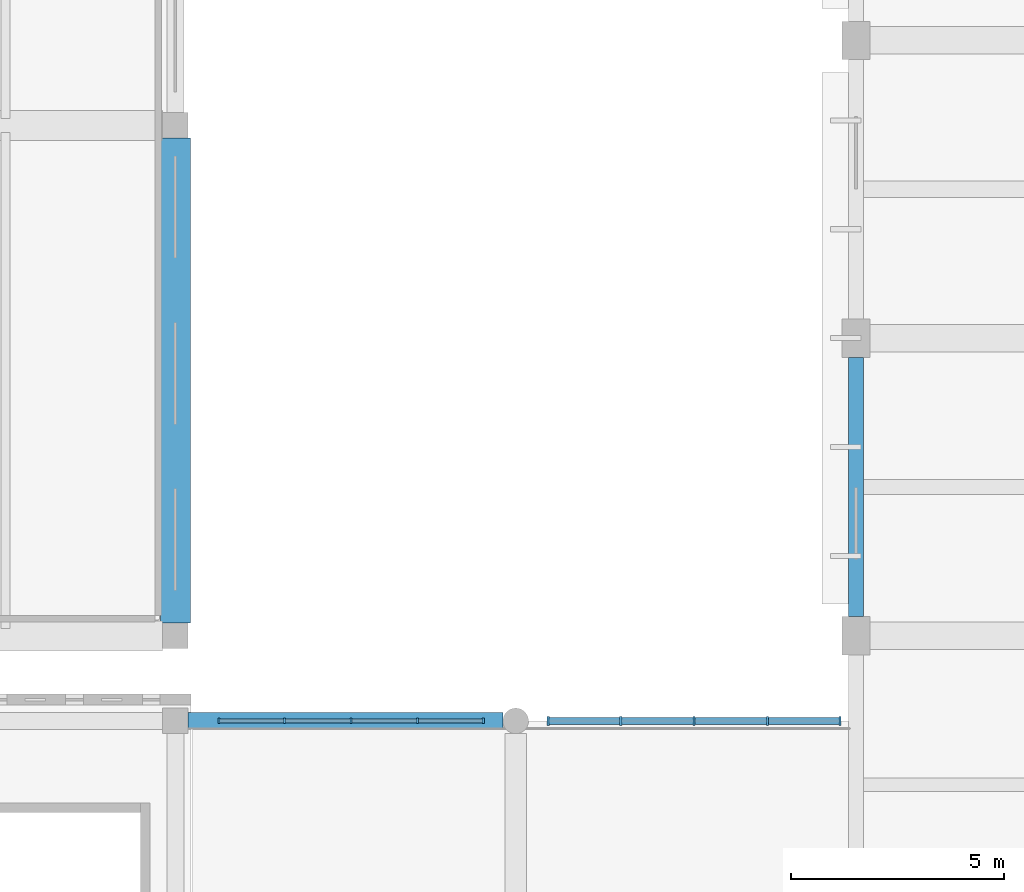
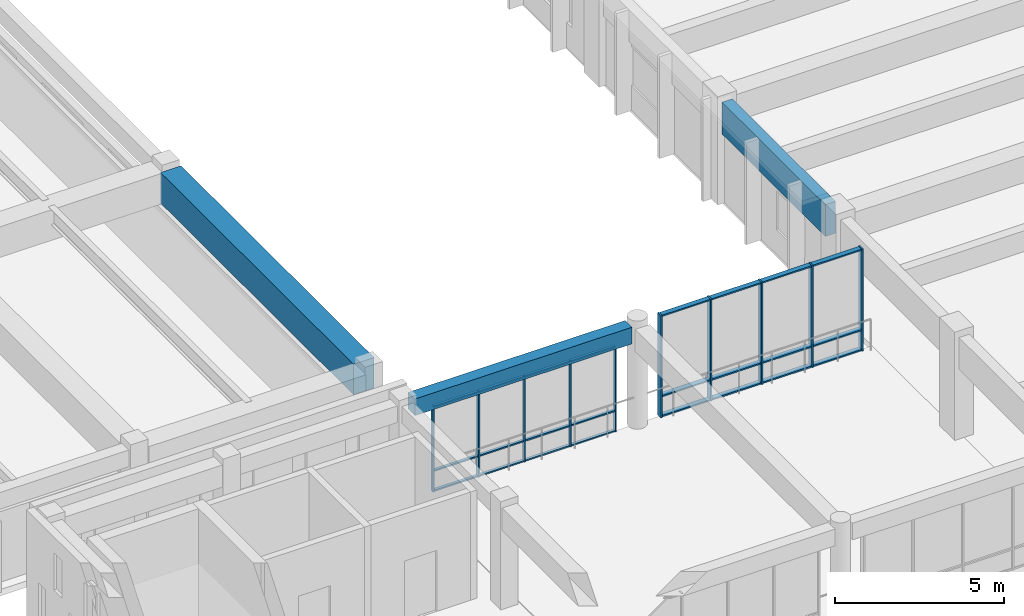
# One storey, part 24 of 98: 34 members, 3 beams, 2 elements without a shape of their own.
"""IFC4 building model written with IfcOpenShell, lengths in metres."""

import ifcopenshell
import ifcopenshell.guid

model = None  # the IFC model being written
_history = None  # IfcOwnerHistory: only IFC2X3 demands one
_inside = {}  # id of a spatial element -> (the spatial element, [elements in it])
_under = {}  # id of a project, library or spatial element -> (it, [spatial elements below it])
_declared = {}  # id of a project -> (the project, [libraries it declares])
_typed = {}  # id of a type object -> (the type object, [elements of that type])
_made_of = {}  # id of a material, layer set ... -> (it, [elements and type objects made of it])


def new_model(schema):
    """Start an empty IFC model of exactly this schema.

    Asked for "IFC4X3", IfcOpenShell would pick the latest addendum, in which some entities
    have other attributes; the version numbers below select the first issue.
    IFC2X3 requires an IfcOwnerHistory on every rooted entity: one is made here for all.
    """
    global model, _history
    if schema == "IFC4X3":
        model = ifcopenshell.file(schema_version=(4, 3, 0, 0))
    else:
        model = ifcopenshell.file(schema=schema)
    _inside.clear()
    _under.clear()
    _declared.clear()
    _typed.clear()
    _made_of.clear()
    _history = None
    if model.schema == "IFC2X3":
        org = make("IfcOrganization", Name="unknown")
        user = make(
            "IfcPersonAndOrganization",
            ThePerson=make("IfcPerson", FamilyName="unknown"),
            TheOrganization=org,
        )
        app = make(
            "IfcApplication",
            ApplicationDeveloper=org,
            Version="unknown",
            ApplicationFullName="unknown",
            ApplicationIdentifier="unknown",
        )
        _history = make(
            "IfcOwnerHistory",
            OwningUser=user,
            OwningApplication=app,
            ChangeAction="ADDED",
            CreationDate=0,
        )
    return model


def make(cls, **values):
    """One entity of the class cls with the attributes given. An attribute that is None is left unset."""
    return model.create_entity(
        cls, **{name: value for name, value in values.items() if value is not None}
    )


def rooted(cls, **values):
    """An entity with a GlobalId (a new one), such as an element, a storey or a relation."""
    return make(cls, GlobalId=ifcopenshell.guid.new(), OwnerHistory=_history, **values)


def si_unit(unit_type, name, prefix=None):
    """IfcSIUnit, for example si_unit("LENGTHUNIT", "METRE", prefix="MILLI")."""
    return make("IfcSIUnit", UnitType=unit_type, Prefix=prefix, Name=name)


def assignment(units):
    """IfcUnitAssignment: the units of a project."""
    return None if units is None else make("IfcUnitAssignment", Units=units)


def point(xyz):
    """IfcCartesianPoint."""
    return None if xyz is None else make("IfcCartesianPoint", Coordinates=xyz)


def direction(xyz):
    """IfcDirection."""
    return None if xyz is None else make("IfcDirection", DirectionRatios=xyz)


def frame(location, z_axis=None, x_axis=None):
    """IfcAxis2Placement3D, a coordinate frame: its origin and axes. An axis left out is left unset."""
    return make(
        "IfcAxis2Placement3D",
        Location=point(location),
        Axis=direction(z_axis),
        RefDirection=direction(x_axis),
    )


def frame_2d(location, x_axis=None):
    """IfcAxis2Placement2D, a coordinate frame in the plane: its origin and x axis."""
    return make(
        "IfcAxis2Placement2D", Location=point(location), RefDirection=direction(x_axis)
    )


def origin():
    """The frame at (0, 0, 0) with its axes left unset."""
    return frame((0.0, 0.0, 0.0))


def origin_2d():
    """The frame at (0, 0) in the plane with its x axis left unset."""
    return frame_2d((0.0, 0.0))


def place(relative_to, where):
    """IfcLocalPlacement: puts the frame where relative to a parent placement (None: the world)."""
    return make(
        "IfcLocalPlacement", PlacementRelTo=relative_to, RelativePlacement=where
    )


def context(
    kind, dimensions, precision=None, world=None, true_north=None, identifier=None
):
    """IfcGeometricRepresentationContext, for example the 3D "Model" context."""
    return make(
        "IfcGeometricRepresentationContext",
        ContextIdentifier=identifier,
        ContextType=kind,
        CoordinateSpaceDimension=dimensions,
        Precision=precision,
        WorldCoordinateSystem=world,
        TrueNorth=true_north,
    )


def subcontext(parent, identifier, kind, view, scale=None):
    """IfcGeometricRepresentationSubContext, for example "Body" below "Model"."""
    return make(
        "IfcGeometricRepresentationSubContext",
        ContextIdentifier=identifier,
        ContextType=kind,
        ParentContext=parent,
        TargetScale=scale,
        TargetView=view,
    )


def project(units=None, contexts=None):
    """IfcProject with its units and contexts."""
    return rooted(
        "IfcProject",
        Name="project",
        RepresentationContexts=contexts,
        UnitsInContext=assignment(units),
    )


def spatial(cls, under=None, at=None, **own):
    """A site, building, storey or space (cls), placed at a placement, below another one or the project."""
    s = rooted(cls, ObjectPlacement=at, **own)
    if under is not None:
        _under.setdefault(under.id(), (under, []))[1].append(s)
    return s


def profile(cls, at=None, kind="AREA", **sizes):
    """A parametric profile (cls). Its sizes go by their IFC names, for example OverallWidth=200.0."""
    return make(cls, ProfileType=kind, Position=at, **sizes)


def rectangle(**sizes):
    """IfcRectangleProfileDef."""
    return profile("IfcRectangleProfileDef", **sizes)


def extrude(swept, where, along, depth):
    """IfcExtrudedAreaSolid: the profile swept, set in the frame where, extruded along a direction by depth."""
    return make(
        "IfcExtrudedAreaSolid",
        SweptArea=swept,
        Position=where,
        ExtrudedDirection=direction(along),
        Depth=depth,
    )


def shape(context_of_items, identifier, shape_type, items):
    """IfcShapeRepresentation: the items that make up one representation, for example the "Body"."""
    return make(
        "IfcShapeRepresentation",
        ContextOfItems=context_of_items,
        RepresentationIdentifier=identifier,
        RepresentationType=shape_type,
        Items=items,
    )


def material(Name=None, Category=None):
    """IfcMaterial."""
    return make("IfcMaterial", Name=Name, Category=Category)


def material_profile(
    of_material, cross_section, Name=None, Category=None, Priority=None
):
    """IfcMaterialProfile: a cross section and its material."""
    return make(
        "IfcMaterialProfile",
        Name=Name,
        Material=of_material,
        Profile=cross_section,
        Priority=Priority,
        Category=Category,
    )


def profile_set(profiles, Name=None, composite=None):
    """IfcMaterialProfileSet."""
    return make(
        "IfcMaterialProfileSet",
        Name=Name,
        MaterialProfiles=profiles,
        CompositeProfile=composite,
    )


def made_of(thing, what):
    """Note that an element or type object is made of a material, layer set ...; save() writes the relation."""
    if what is not None:
        _made_of.setdefault(what.id(), (what, []))[1].append(thing)
    return thing


def type_object(cls, material=None, **own):
    """A type object (cls), such as IfcWallType, which elements share."""
    return made_of(rooted(cls, **own), material)


def element(
    cls,
    number,
    at=None,
    inside=None,
    cuts=None,
    type_object=None,
    material=None,
    context=None,
    identifier="Body",
    shape_type=None,
    held_by="IfcProductDefinitionShape",
    body=None,
    shapes=None,
    **own,
):
    """One element of the class cls, such as IfcWall. Its Tag is "e" and its number.

    at: its placement. inside: the storey or other place that contains it. cuts: it is an
    opening in that element (IfcRelVoidsElement). A single representation is given by context,
    identifier, shape_type and body (its items); several are given by shapes. held_by: the class
    of the entity that holds the representations. save() writes the other relations.
    """
    e = rooted(cls, Tag="e%d" % number, ObjectPlacement=at, **own)
    if body is not None:
        shapes = [shape(context, identifier, shape_type, body)]
    if shapes is not None:
        e.Representation = make(held_by, Representations=shapes)
    if inside is not None:
        _inside.setdefault(inside.id(), (inside, []))[1].append(e)
    if cuts is not None:
        rooted(
            "IfcRelVoidsElement", RelatingBuildingElement=cuts, RelatedOpeningElement=e
        )
    if type_object is not None:
        _typed.setdefault(type_object.id(), (type_object, []))[1].append(e)
    return made_of(e, material)


def aggregate(whole, parts):
    """IfcRelAggregates: a whole, such as a stair, and the parts it consists of."""
    return rooted("IfcRelAggregates", RelatingObject=whole, RelatedObjects=parts)


def save(model, path):
    """Write the relations noted so far, then the file.

    IfcRelAggregates (storeys below a building ...), IfcRelContainedInSpatialStructure (elements
    in a storey), IfcRelDefinesByType, IfcRelAssociatesMaterial and IfcRelDeclares: one each for
    every whole, place, type object, material and project.
    """
    for whole, parts in _under.values():
        aggregate(whole, parts)
    for where, things in _inside.values():
        rooted(
            "IfcRelContainedInSpatialStructure",
            RelatedElements=things,
            RelatingStructure=where,
        )
    for kind, things in _typed.values():
        rooted("IfcRelDefinesByType", RelatedObjects=things, RelatingType=kind)
    for what, things in _made_of.values():
        rooted("IfcRelAssociatesMaterial", RelatedObjects=things, RelatingMaterial=what)
    for by, libraries in _declared.values():
        rooted("IfcRelDeclares", RelatingContext=by, RelatedDefinitions=libraries)
    model.write(path)


model = new_model("IFC4")

# Units and contexts
model_context = context("Model", 3, precision=1e-05, world=origin(), true_north=direction((0.0, 1.0)))
body_context = subcontext(model_context, "Body", "Model", "MODEL_VIEW")
ifc_project = project(units=[si_unit("LENGTHUNIT", "METRE"), si_unit("AREAUNIT", "SQUARE_METRE"), si_unit("VOLUMEUNIT", "CUBIC_METRE"), si_unit("PLANEANGLEUNIT", "RADIAN"), si_unit("MASSUNIT", "GRAM", prefix="KILO")], contexts=[model_context])

# Site, building, storey
site_placement = place(None, origin())
site = spatial("IfcSite", under=ifc_project, at=site_placement, CompositionType="ELEMENT")
building_placement = place(site_placement, origin())
building = spatial("IfcBuilding", under=site, at=building_placement, Name="Larkveld Mobility Hub", CompositionType="ELEMENT")
storey_placement = place(building_placement, frame((0.0, 0.0, 4.5)))
storey = spatial("IfcBuildingStorey", under=building, at=storey_placement, Name="L01", CompositionType="ELEMENT", Elevation=4.5)

# Beams
ifc_material_1 = material(Name="Concrete C40/50", Category="concrete")
ifc_material_profile_1 = material_profile(ifc_material_1, rectangle(XDim=0.39990234375, YDim=0.60009765625, at=origin_2d()), Name="RC BM 400x600")
ifc_profile_set_1 = profile_set([ifc_material_profile_1], Name="Concrete C40/50")
beam_type_1 = type_object("IfcBeamType", Name="BM-RC4060", PredefinedType="BEAM", material=ifc_profile_set_1)
beam_1_placement = place(storey_placement, frame((96.300048828125, 96.0, 3.39501953125), z_axis=(1.0, 0.0, 0.0), x_axis=(0.0, 1.0, 0.0)))
element("IfcBeam", 1, at=beam_1_placement, inside=storey, type_object=beam_type_1, Name="Footbridge L01 Canopy E-W Girder L01-0290", PredefinedType="BEAM", context=body_context, shape_type="SweptSolid", body=[
    extrude(rectangle(XDim=0.39990234375, YDim=0.60009765625, at=origin_2d()), origin(), (0.0, 0.0, 1.0), 7.39990234375),
])
ifc_material_profile_2 = material_profile(ifc_material_1, rectangle(XDim=0.699951171875, YDim=1.10009765625, at=origin_2d()), Name="RC BM 700x1100")
ifc_profile_set_2 = profile_set([ifc_material_profile_2], Name="Concrete C40/50")
beam_type_2 = type_object("IfcBeamType", Name="BM-RC70110", PredefinedType="BEAM", material=ifc_profile_set_2)
beam_2_placement = place(storey_placement, frame((96.0, 98.300048828125, 3.110107421875), z_axis=(0.0, 1.0, 0.0), x_axis=(-1.0, 0.0, 0.0)))
element("IfcBeam", 2, at=beam_2_placement, inside=storey, type_object=beam_type_2, Name="Primary N-S Girder L01-0390", PredefinedType="BEAM", context=body_context, shape_type="SweptSolid", body=[
    extrude(rectangle(XDim=0.699951171875, YDim=1.10009765625, at=origin_2d()), origin(), (0.0, 0.0, 1.0), 11.39990234375),
])
ifc_material_2 = material(Name="Precast concrete C50/60", Category="concrete")
ifc_material_profile_3 = material_profile(ifc_material_2, rectangle(XDim=0.35009765625, YDim=1.14990234375, at=origin_2d()), Name="PC SP 350x1150")
ifc_profile_set_3 = profile_set([ifc_material_profile_3], Name="Precast concrete C50/60")
beam_type_3 = type_object("IfcBeamType", Name="BM-SP35115", PredefinedType="SPANDREL", material=ifc_profile_set_3)
beam_3_placement = place(storey_placement, frame((112.0, 98.449951171875, 3.0849609375), z_axis=(0.0, 1.0, 0.0), x_axis=(-1.0, 0.0, 0.0)))
element("IfcBeam", 3, at=beam_3_placement, inside=storey, type_object=beam_type_3, Name="Primary N-S Girder L01-0407", PredefinedType="SPANDREL", context=body_context, shape_type="SweptSolid", body=[
    extrude(rectangle(XDim=0.35009765625, YDim=1.14990234375, at=origin_2d()), origin(), (0.0, 0.0, 1.0), 6.10009765625),
])

# Curtain wall, members
ifc_material_3 = material(Name="Anodised aluminium 6063-T6", Category="aluminium")
curtain_wall_type_1 = type_object("IfcCurtainWallType", Name="CW-SYS-03", PredefinedType="NOTDEFINED", material=ifc_material_3)
curtain_wall_1_placement = place(storey_placement, origin())
curtain_wall_1 = element("IfcCurtainWall", 4, at=curtain_wall_1_placement, inside=storey, type_object=curtain_wall_type_1, Name="Concourse Footbridge L01 North Glazing CW-003", PredefinedType="NOTDEFINED")
ifc_material_profile_4 = material_profile(ifc_material_3, rectangle(XDim=0.050048828125, YDim=0.2099609375, at=origin_2d()), Name="ALU MULL 50x210")
ifc_profile_set_4 = profile_set([ifc_material_profile_4], Name="Anodised aluminium 6063-T6")
member_type_1 = type_object("IfcMemberType", Name="CW-MUL-03", PredefinedType="MULLION", material=ifc_profile_set_4)
member_1_placement = place(storey_placement, frame((111.625, 96.0, -0.001953125), z_axis=(0.0, 0.0, 1.0), x_axis=(-1.0, 0.0, 0.0)))
member_1 = element("IfcMember", 5, at=member_1_placement, type_object=member_type_1, Name="CW03 mullion 1", PredefinedType="MULLION", context=body_context, shape_type="SweptSolid", body=[
    extrude(rectangle(XDim=0.050048828125, YDim=0.2099609375, at=origin_2d()), origin(), (0.0, 0.0, 1.0), 3.681884765625),
])
member_2_placement = place(storey_placement, frame((109.922119140625, 96.0, -0.001953125), z_axis=(0.0, 0.0, 1.0), x_axis=(-1.0, 0.0, 0.0)))
member_2 = element("IfcMember", 6, at=member_2_placement, type_object=member_type_1, Name="CW03 mullion 2", PredefinedType="MULLION", context=body_context, shape_type="SweptSolid", body=[
    extrude(rectangle(XDim=0.050048828125, YDim=0.2099609375, at=origin_2d()), origin(), (0.0, 0.0, 1.0), 3.681884765625),
])
member_3_placement = place(storey_placement, frame((108.195068359375, 96.0, -0.001953125), z_axis=(0.0, 0.0, 1.0), x_axis=(-1.0, 0.0, 0.0)))
member_3 = element("IfcMember", 7, at=member_3_placement, type_object=member_type_1, Name="CW03 mullion 3", PredefinedType="MULLION", context=body_context, shape_type="SweptSolid", body=[
    extrude(rectangle(XDim=0.050048828125, YDim=0.2099609375, at=origin_2d()), origin(), (0.0, 0.0, 1.0), 3.681884765625),
])
member_4_placement = place(storey_placement, frame((106.468017578125, 96.0, -0.001953125), z_axis=(0.0, 0.0, 1.0), x_axis=(-1.0, 0.0, 0.0)))
member_4 = element("IfcMember", 8, at=member_4_placement, type_object=member_type_1, Name="CW03 mullion 4", PredefinedType="MULLION", context=body_context, shape_type="SweptSolid", body=[
    extrude(rectangle(XDim=0.050048828125, YDim=0.2099609375, at=origin_2d()), origin(), (0.0, 0.0, 1.0), 3.681884765625),
])
member_5_placement = place(storey_placement, frame((104.764892578125, 96.0, -0.001953125), z_axis=(0.0, 0.0, 1.0), x_axis=(-1.0, 0.0, 0.0)))
member_5 = element("IfcMember", 9, at=member_5_placement, type_object=member_type_1, Name="CW03 mullion 5", PredefinedType="MULLION", context=body_context, shape_type="SweptSolid", body=[
    extrude(rectangle(XDim=0.050048828125, YDim=0.2099609375, at=origin_2d()), origin(), (0.0, 0.0, 1.0), 3.681884765625),
])

curtain_wall_type_2 = type_object("IfcCurtainWallType", Name="CW-SYS-04", PredefinedType="NOTDEFINED", material=ifc_material_3)
curtain_wall_2_placement = place(storey_placement, origin())
curtain_wall_2 = element("IfcCurtainWall", 10, at=curtain_wall_2_placement, inside=storey, type_object=curtain_wall_type_2, Name="Concourse Footbridge L01 North Glazing CW-004", PredefinedType="NOTDEFINED")
ifc_material_profile_5 = material_profile(ifc_material_3, rectangle(XDim=0.050048828125, YDim=0.1298828125, at=origin_2d()), Name="ALU MULL 50x130")
ifc_profile_set_5 = profile_set([ifc_material_profile_5], Name="Anodised aluminium 6063-T6")
member_type_2 = type_object("IfcMemberType", Name="CW-MUL-04", PredefinedType="MULLION", material=ifc_profile_set_5)
member_6_placement = place(storey_placement, frame((103.235107421875, 96.0, -0.001953125), z_axis=(0.0, 0.0, 1.0), x_axis=(-1.0, 0.0, 0.0)))
member_6 = element("IfcMember", 11, at=member_6_placement, type_object=member_type_2, Name="CW04 mullion 1", PredefinedType="MULLION", context=body_context, shape_type="SweptSolid", body=[
    extrude(rectangle(XDim=0.050048828125, YDim=0.1298828125, at=origin_2d()), origin(), (0.0, 0.0, 1.0), 3.096923828125),
])
member_7_placement = place(storey_placement, frame((101.695068359375, 96.0, -0.001953125), z_axis=(0.0, 0.0, 1.0), x_axis=(-1.0, 0.0, 0.0)))
member_7 = element("IfcMember", 12, at=member_7_placement, type_object=member_type_2, Name="CW04 mullion 2", PredefinedType="MULLION", context=body_context, shape_type="SweptSolid", body=[
    extrude(rectangle(XDim=0.050048828125, YDim=0.1298828125, at=origin_2d()), origin(), (0.0, 0.0, 1.0), 3.096923828125),
])
member_8_placement = place(storey_placement, frame((100.1298828125, 96.0, -0.001953125), z_axis=(0.0, 0.0, 1.0), x_axis=(-1.0, 0.0, 0.0)))
member_8 = element("IfcMember", 13, at=member_8_placement, type_object=member_type_2, Name="CW04 mullion 3", PredefinedType="MULLION", context=body_context, shape_type="SweptSolid", body=[
    extrude(rectangle(XDim=0.050048828125, YDim=0.1298828125, at=origin_2d()), origin(), (0.0, 0.0, 1.0), 3.096923828125),
])
member_9_placement = place(storey_placement, frame((98.56494140625, 96.0, -0.001953125), z_axis=(0.0, 0.0, 1.0), x_axis=(-1.0, 0.0, 0.0)))
member_9 = element("IfcMember", 14, at=member_9_placement, type_object=member_type_2, Name="CW04 mullion 4", PredefinedType="MULLION", context=body_context, shape_type="SweptSolid", body=[
    extrude(rectangle(XDim=0.050048828125, YDim=0.1298828125, at=origin_2d()), origin(), (0.0, 0.0, 1.0), 3.096923828125),
])
member_10_placement = place(storey_placement, frame((97.02490234375, 96.0, -0.001953125), z_axis=(0.0, 0.0, 1.0), x_axis=(-1.0, 0.0, 0.0)))
member_10 = element("IfcMember", 15, at=member_10_placement, type_object=member_type_2, Name="CW04 mullion 5", PredefinedType="MULLION", context=body_context, shape_type="SweptSolid", body=[
    extrude(rectangle(XDim=0.050048828125, YDim=0.1298828125, at=origin_2d()), origin(), (0.0, 0.0, 1.0), 3.096923828125),
])

# Member
ifc_material_profile_6 = material_profile(ifc_material_3, rectangle(XDim=0.169921875, YDim=0.050048828125, at=origin_2d()), Name="ALU TRAN 50x170")
ifc_profile_set_6 = profile_set([ifc_material_profile_6], Name="Anodised aluminium 6063-T6")
member_type_3 = type_object("IfcMemberType", Name="CW-TRN-03", PredefinedType="USERDEFINED", material=ifc_profile_set_6)
member_11_placement = place(storey_placement, frame((111.614990234375, 96.0, 0.030029296875), z_axis=(-1.0, 0.0, 0.0), x_axis=(0.0, -1.0, 0.0)))
member_11 = element("IfcMember", 16, at=member_11_placement, type_object=member_type_3, Name="CW03 transom 1.1", ObjectType="TRANSOM", PredefinedType="USERDEFINED", context=body_context, shape_type="SweptSolid", body=[
    extrude(rectangle(XDim=0.169921875, YDim=0.050048828125, at=origin_2d()), origin(), (0.0, 0.0, 1.0), 1.677001953125),
])

member_12_placement = place(storey_placement, frame((111.614990234375, 96.0, 0.75), z_axis=(-1.0, 0.0, 0.0), x_axis=(0.0, -1.0, 0.0)))
member_12 = element("IfcMember", 17, at=member_12_placement, type_object=member_type_3, Name="CW03 transom 1.2", ObjectType="TRANSOM", PredefinedType="USERDEFINED", context=body_context, shape_type="SweptSolid", body=[
    extrude(rectangle(XDim=0.169921875, YDim=0.050048828125, at=origin_2d()), origin(), (0.0, 0.0, 1.0), 1.677001953125),
])

member_13_placement = place(storey_placement, frame((111.614990234375, 96.0, 3.64794921875), z_axis=(-1.0, 0.0, 0.0), x_axis=(0.0, -1.0, 0.0)))
member_13 = element("IfcMember", 18, at=member_13_placement, type_object=member_type_3, Name="CW03 transom 1.3", ObjectType="TRANSOM", PredefinedType="USERDEFINED", context=body_context, shape_type="SweptSolid", body=[
    extrude(rectangle(XDim=0.169921875, YDim=0.050048828125, at=origin_2d()), origin(), (0.0, 0.0, 1.0), 1.677001953125),
])

member_14_placement = place(storey_placement, frame((109.906982421875, 96.0, 0.030029296875), z_axis=(-1.0, 0.0, 0.0), x_axis=(0.0, -1.0, 0.0)))
member_14 = element("IfcMember", 19, at=member_14_placement, type_object=member_type_3, Name="CW03 transom 2.1", ObjectType="TRANSOM", PredefinedType="USERDEFINED", context=body_context, shape_type="SweptSolid", body=[
    extrude(rectangle(XDim=0.169921875, YDim=0.050048828125, at=origin_2d()), origin(), (0.0, 0.0, 1.0), 1.697021484375),
])

member_15_placement = place(storey_placement, frame((109.906982421875, 96.0, 0.75), z_axis=(-1.0, 0.0, 0.0), x_axis=(0.0, -1.0, 0.0)))
member_15 = element("IfcMember", 20, at=member_15_placement, type_object=member_type_3, Name="CW03 transom 2.2", ObjectType="TRANSOM", PredefinedType="USERDEFINED", context=body_context, shape_type="SweptSolid", body=[
    extrude(rectangle(XDim=0.169921875, YDim=0.050048828125, at=origin_2d()), origin(), (0.0, 0.0, 1.0), 1.697021484375),
])

member_16_placement = place(storey_placement, frame((109.906982421875, 96.0, 3.64794921875), z_axis=(-1.0, 0.0, 0.0), x_axis=(0.0, -1.0, 0.0)))
member_16 = element("IfcMember", 21, at=member_16_placement, type_object=member_type_3, Name="CW03 transom 2.3", ObjectType="TRANSOM", PredefinedType="USERDEFINED", context=body_context, shape_type="SweptSolid", body=[
    extrude(rectangle(XDim=0.169921875, YDim=0.050048828125, at=origin_2d()), origin(), (0.0, 0.0, 1.0), 1.697021484375),
])

member_17_placement = place(storey_placement, frame((108.179931640625, 96.0, 0.030029296875), z_axis=(-1.0, 0.0, 0.0), x_axis=(0.0, -1.0, 0.0)))
member_17 = element("IfcMember", 22, at=member_17_placement, type_object=member_type_3, Name="CW03 transom 3.1", ObjectType="TRANSOM", PredefinedType="USERDEFINED", context=body_context, shape_type="SweptSolid", body=[
    extrude(rectangle(XDim=0.169921875, YDim=0.050048828125, at=origin_2d()), origin(), (0.0, 0.0, 1.0), 1.697021484375),
])

member_18_placement = place(storey_placement, frame((108.179931640625, 96.0, 0.75), z_axis=(-1.0, 0.0, 0.0), x_axis=(0.0, -1.0, 0.0)))
member_18 = element("IfcMember", 23, at=member_18_placement, type_object=member_type_3, Name="CW03 transom 3.2", ObjectType="TRANSOM", PredefinedType="USERDEFINED", context=body_context, shape_type="SweptSolid", body=[
    extrude(rectangle(XDim=0.169921875, YDim=0.050048828125, at=origin_2d()), origin(), (0.0, 0.0, 1.0), 1.697021484375),
])

member_19_placement = place(storey_placement, frame((108.179931640625, 96.0, 3.64794921875), z_axis=(-1.0, 0.0, 0.0), x_axis=(0.0, -1.0, 0.0)))
member_19 = element("IfcMember", 24, at=member_19_placement, type_object=member_type_3, Name="CW03 transom 3.3", ObjectType="TRANSOM", PredefinedType="USERDEFINED", context=body_context, shape_type="SweptSolid", body=[
    extrude(rectangle(XDim=0.169921875, YDim=0.050048828125, at=origin_2d()), origin(), (0.0, 0.0, 1.0), 1.697021484375),
])

member_20_placement = place(storey_placement, frame((106.452880859375, 96.0, 0.030029296875), z_axis=(-1.0, 0.0, 0.0), x_axis=(0.0, -1.0, 0.0)))
member_20 = element("IfcMember", 25, at=member_20_placement, type_object=member_type_3, Name="CW03 transom 4.1", ObjectType="TRANSOM", PredefinedType="USERDEFINED", context=body_context, shape_type="SweptSolid", body=[
    extrude(rectangle(XDim=0.169921875, YDim=0.050048828125, at=origin_2d()), origin(), (0.0, 0.0, 1.0), 1.677978515625),
])

member_21_placement = place(storey_placement, frame((106.452880859375, 96.0, 0.75), z_axis=(-1.0, 0.0, 0.0), x_axis=(0.0, -1.0, 0.0)))
member_21 = element("IfcMember", 26, at=member_21_placement, type_object=member_type_3, Name="CW03 transom 4.2", ObjectType="TRANSOM", PredefinedType="USERDEFINED", context=body_context, shape_type="SweptSolid", body=[
    extrude(rectangle(XDim=0.169921875, YDim=0.050048828125, at=origin_2d()), origin(), (0.0, 0.0, 1.0), 1.677978515625),
])

member_22_placement = place(storey_placement, frame((106.452880859375, 96.0, 3.64794921875), z_axis=(-1.0, 0.0, 0.0), x_axis=(0.0, -1.0, 0.0)))
member_22 = element("IfcMember", 27, at=member_22_placement, type_object=member_type_3, Name="CW03 transom 4.3", ObjectType="TRANSOM", PredefinedType="USERDEFINED", context=body_context, shape_type="SweptSolid", body=[
    extrude(rectangle(XDim=0.169921875, YDim=0.050048828125, at=origin_2d()), origin(), (0.0, 0.0, 1.0), 1.677978515625),
])

aggregate(curtain_wall_1, [member_1, member_2, member_3, member_4, member_5, member_11, member_12, member_13, member_14, member_15, member_16, member_17, member_18, member_19, member_20, member_21, member_22])

ifc_material_profile_7 = material_profile(ifc_material_3, rectangle(XDim=0.10009765625, YDim=0.050048828125, at=origin_2d()), Name="ALU TRAN 50x100")
ifc_profile_set_7 = profile_set([ifc_material_profile_7], Name="Anodised aluminium 6063-T6")
member_type_4 = type_object("IfcMemberType", Name="CW-TRN-04", PredefinedType="USERDEFINED", material=ifc_profile_set_7)
member_23_placement = place(storey_placement, frame((103.22509765625, 96.0, 0.030029296875), z_axis=(-1.0, 0.0, 0.0), x_axis=(0.0, -1.0, 0.0)))
member_23 = element("IfcMember", 28, at=member_23_placement, type_object=member_type_4, Name="CW04 transom 1.1", ObjectType="TRANSOM", PredefinedType="USERDEFINED", context=body_context, shape_type="SweptSolid", body=[
    extrude(rectangle(XDim=0.10009765625, YDim=0.050048828125, at=origin_2d()), origin(), (0.0, 0.0, 1.0), 1.51513671875),
])

member_24_placement = place(storey_placement, frame((103.22509765625, 96.0, 0.75), z_axis=(-1.0, 0.0, 0.0), x_axis=(0.0, -1.0, 0.0)))
member_24 = element("IfcMember", 29, at=member_24_placement, type_object=member_type_4, Name="CW04 transom 1.2", ObjectType="TRANSOM", PredefinedType="USERDEFINED", context=body_context, shape_type="SweptSolid", body=[
    extrude(rectangle(XDim=0.10009765625, YDim=0.050048828125, at=origin_2d()), origin(), (0.0, 0.0, 1.0), 1.51513671875),
])

member_25_placement = place(storey_placement, frame((103.22509765625, 96.0, 3.06298828125), z_axis=(-1.0, 0.0, 0.0), x_axis=(0.0, -1.0, 0.0)))
member_25 = element("IfcMember", 30, at=member_25_placement, type_object=member_type_4, Name="CW04 transom 1.3", ObjectType="TRANSOM", PredefinedType="USERDEFINED", context=body_context, shape_type="SweptSolid", body=[
    extrude(rectangle(XDim=0.10009765625, YDim=0.050048828125, at=origin_2d()), origin(), (0.0, 0.0, 1.0), 1.51513671875),
])

member_26_placement = place(storey_placement, frame((101.679931640625, 96.0, 0.030029296875), z_axis=(-1.0, 0.0, 0.0), x_axis=(0.0, -1.0, 0.0)))
member_26 = element("IfcMember", 31, at=member_26_placement, type_object=member_type_4, Name="CW04 transom 2.1", ObjectType="TRANSOM", PredefinedType="USERDEFINED", context=body_context, shape_type="SweptSolid", body=[
    extrude(rectangle(XDim=0.10009765625, YDim=0.050048828125, at=origin_2d()), origin(), (0.0, 0.0, 1.0), 1.534912109375),
])

member_27_placement = place(storey_placement, frame((101.679931640625, 96.0, 0.75), z_axis=(-1.0, 0.0, 0.0), x_axis=(0.0, -1.0, 0.0)))
member_27 = element("IfcMember", 32, at=member_27_placement, type_object=member_type_4, Name="CW04 transom 2.2", ObjectType="TRANSOM", PredefinedType="USERDEFINED", context=body_context, shape_type="SweptSolid", body=[
    extrude(rectangle(XDim=0.10009765625, YDim=0.050048828125, at=origin_2d()), origin(), (0.0, 0.0, 1.0), 1.534912109375),
])

member_28_placement = place(storey_placement, frame((101.679931640625, 96.0, 3.06298828125), z_axis=(-1.0, 0.0, 0.0), x_axis=(0.0, -1.0, 0.0)))
member_28 = element("IfcMember", 33, at=member_28_placement, type_object=member_type_4, Name="CW04 transom 2.3", ObjectType="TRANSOM", PredefinedType="USERDEFINED", context=body_context, shape_type="SweptSolid", body=[
    extrude(rectangle(XDim=0.10009765625, YDim=0.050048828125, at=origin_2d()), origin(), (0.0, 0.0, 1.0), 1.534912109375),
])

member_29_placement = place(storey_placement, frame((100.114990234375, 96.0, 0.030029296875), z_axis=(-1.0, 0.0, 0.0), x_axis=(0.0, -1.0, 0.0)))
member_29 = element("IfcMember", 34, at=member_29_placement, type_object=member_type_4, Name="CW04 transom 3.1", ObjectType="TRANSOM", PredefinedType="USERDEFINED", context=body_context, shape_type="SweptSolid", body=[
    extrude(rectangle(XDim=0.10009765625, YDim=0.050048828125, at=origin_2d()), origin(), (0.0, 0.0, 1.0), 1.534912109375),
])

member_30_placement = place(storey_placement, frame((100.114990234375, 96.0, 0.75), z_axis=(-1.0, 0.0, 0.0), x_axis=(0.0, -1.0, 0.0)))
member_30 = element("IfcMember", 35, at=member_30_placement, type_object=member_type_4, Name="CW04 transom 3.2", ObjectType="TRANSOM", PredefinedType="USERDEFINED", context=body_context, shape_type="SweptSolid", body=[
    extrude(rectangle(XDim=0.10009765625, YDim=0.050048828125, at=origin_2d()), origin(), (0.0, 0.0, 1.0), 1.534912109375),
])

member_31_placement = place(storey_placement, frame((100.114990234375, 96.0, 3.06298828125), z_axis=(-1.0, 0.0, 0.0), x_axis=(0.0, -1.0, 0.0)))
member_31 = element("IfcMember", 36, at=member_31_placement, type_object=member_type_4, Name="CW04 transom 3.3", ObjectType="TRANSOM", PredefinedType="USERDEFINED", context=body_context, shape_type="SweptSolid", body=[
    extrude(rectangle(XDim=0.10009765625, YDim=0.050048828125, at=origin_2d()), origin(), (0.0, 0.0, 1.0), 1.534912109375),
])

member_32_placement = place(storey_placement, frame((98.550048828125, 96.0, 0.030029296875), z_axis=(-1.0, 0.0, 0.0), x_axis=(0.0, -1.0, 0.0)))
member_32 = element("IfcMember", 37, at=member_32_placement, type_object=member_type_4, Name="CW04 transom 4.1", ObjectType="TRANSOM", PredefinedType="USERDEFINED", context=body_context, shape_type="SweptSolid", body=[
    extrude(rectangle(XDim=0.10009765625, YDim=0.050048828125, at=origin_2d()), origin(), (0.0, 0.0, 1.0), 1.51513671875),
])

member_33_placement = place(storey_placement, frame((98.550048828125, 96.0, 0.75), z_axis=(-1.0, 0.0, 0.0), x_axis=(0.0, -1.0, 0.0)))
member_33 = element("IfcMember", 38, at=member_33_placement, type_object=member_type_4, Name="CW04 transom 4.2", ObjectType="TRANSOM", PredefinedType="USERDEFINED", context=body_context, shape_type="SweptSolid", body=[
    extrude(rectangle(XDim=0.10009765625, YDim=0.050048828125, at=origin_2d()), origin(), (0.0, 0.0, 1.0), 1.51513671875),
])

member_34_placement = place(storey_placement, frame((98.550048828125, 96.0, 3.06298828125), z_axis=(-1.0, 0.0, 0.0), x_axis=(0.0, -1.0, 0.0)))
member_34 = element("IfcMember", 39, at=member_34_placement, type_object=member_type_4, Name="CW04 transom 4.3", ObjectType="TRANSOM", PredefinedType="USERDEFINED", context=body_context, shape_type="SweptSolid", body=[
    extrude(rectangle(XDim=0.10009765625, YDim=0.050048828125, at=origin_2d()), origin(), (0.0, 0.0, 1.0), 1.51513671875),
])

aggregate(curtain_wall_2, [member_6, member_7, member_8, member_9, member_10, member_23, member_24, member_25, member_26, member_27, member_28, member_29, member_30, member_31, member_32, member_33, member_34])

save(model, "model.ifc")
